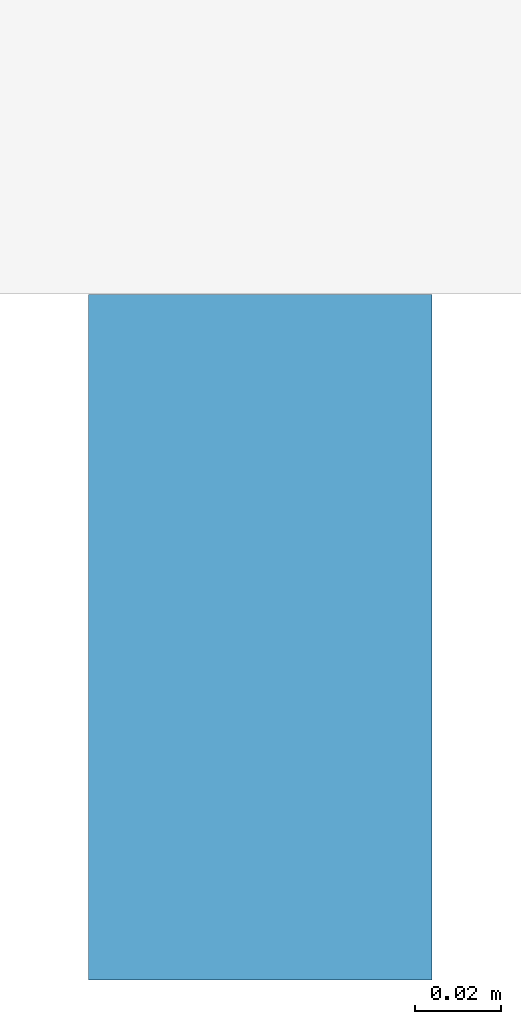
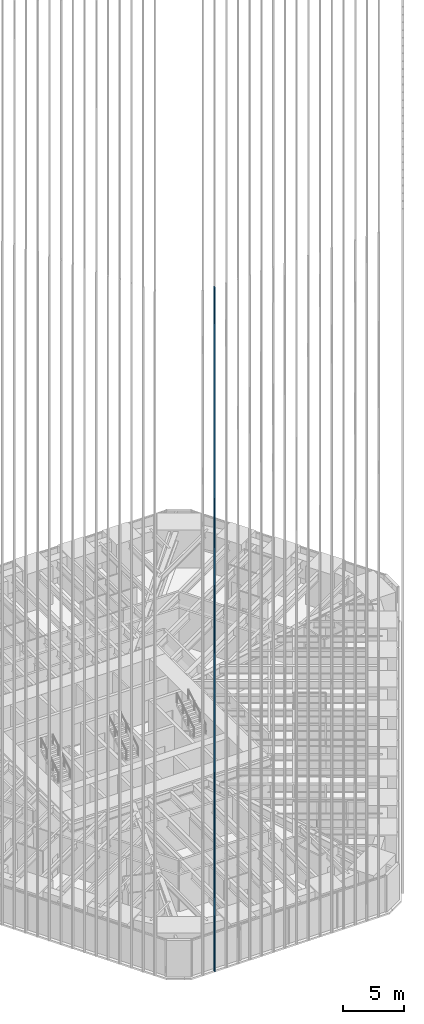
# One storey, part 22 of 256: 1 member, 1 element without a shape of its own.
"""IFC4 building model written with IfcOpenShell, lengths in metres."""

import ifcopenshell
import ifcopenshell.guid

model = None  # the IFC model being written
_history = None  # IfcOwnerHistory: only IFC2X3 demands one
_inside = {}  # id of a spatial element -> (the spatial element, [elements in it])
_under = {}  # id of a project, library or spatial element -> (it, [spatial elements below it])
_declared = {}  # id of a project -> (the project, [libraries it declares])
_typed = {}  # id of a type object -> (the type object, [elements of that type])
_made_of = {}  # id of a material, layer set ... -> (it, [elements and type objects made of it])


def new_model(schema):
    """Start an empty IFC model of exactly this schema.

    Asked for "IFC4X3", IfcOpenShell would pick the latest addendum, in which some entities
    have other attributes; the version numbers below select the first issue.
    IFC2X3 requires an IfcOwnerHistory on every rooted entity: one is made here for all.
    """
    global model, _history
    if schema == "IFC4X3":
        model = ifcopenshell.file(schema_version=(4, 3, 0, 0))
    else:
        model = ifcopenshell.file(schema=schema)
    _inside.clear()
    _under.clear()
    _declared.clear()
    _typed.clear()
    _made_of.clear()
    _history = None
    if model.schema == "IFC2X3":
        org = make("IfcOrganization", Name="unknown")
        user = make(
            "IfcPersonAndOrganization",
            ThePerson=make("IfcPerson", FamilyName="unknown"),
            TheOrganization=org,
        )
        app = make(
            "IfcApplication",
            ApplicationDeveloper=org,
            Version="unknown",
            ApplicationFullName="unknown",
            ApplicationIdentifier="unknown",
        )
        _history = make(
            "IfcOwnerHistory",
            OwningUser=user,
            OwningApplication=app,
            ChangeAction="ADDED",
            CreationDate=0,
        )
    return model


def make(cls, **values):
    """One entity of the class cls with the attributes given. An attribute that is None is left unset."""
    return model.create_entity(
        cls, **{name: value for name, value in values.items() if value is not None}
    )


def rooted(cls, **values):
    """An entity with a GlobalId (a new one), such as an element, a storey or a relation."""
    return make(cls, GlobalId=ifcopenshell.guid.new(), OwnerHistory=_history, **values)


def si_unit(unit_type, name, prefix=None):
    """IfcSIUnit, for example si_unit("LENGTHUNIT", "METRE", prefix="MILLI")."""
    return make("IfcSIUnit", UnitType=unit_type, Prefix=prefix, Name=name)


def assignment(units):
    """IfcUnitAssignment: the units of a project."""
    return None if units is None else make("IfcUnitAssignment", Units=units)


def point(xyz):
    """IfcCartesianPoint."""
    return None if xyz is None else make("IfcCartesianPoint", Coordinates=xyz)


def direction(xyz):
    """IfcDirection."""
    return None if xyz is None else make("IfcDirection", DirectionRatios=xyz)


def frame(location, z_axis=None, x_axis=None):
    """IfcAxis2Placement3D, a coordinate frame: its origin and axes. An axis left out is left unset."""
    return make(
        "IfcAxis2Placement3D",
        Location=point(location),
        Axis=direction(z_axis),
        RefDirection=direction(x_axis),
    )


def frame_2d(location, x_axis=None):
    """IfcAxis2Placement2D, a coordinate frame in the plane: its origin and x axis."""
    return make(
        "IfcAxis2Placement2D", Location=point(location), RefDirection=direction(x_axis)
    )


def origin():
    """The frame at (0, 0, 0) with its axes left unset."""
    return frame((0.0, 0.0, 0.0))


def origin_2d():
    """The frame at (0, 0) in the plane with its x axis left unset."""
    return frame_2d((0.0, 0.0))


def place(relative_to, where):
    """IfcLocalPlacement: puts the frame where relative to a parent placement (None: the world)."""
    return make(
        "IfcLocalPlacement", PlacementRelTo=relative_to, RelativePlacement=where
    )


def context(
    kind, dimensions, precision=None, world=None, true_north=None, identifier=None
):
    """IfcGeometricRepresentationContext, for example the 3D "Model" context."""
    return make(
        "IfcGeometricRepresentationContext",
        ContextIdentifier=identifier,
        ContextType=kind,
        CoordinateSpaceDimension=dimensions,
        Precision=precision,
        WorldCoordinateSystem=world,
        TrueNorth=true_north,
    )


def subcontext(parent, identifier, kind, view, scale=None):
    """IfcGeometricRepresentationSubContext, for example "Body" below "Model"."""
    return make(
        "IfcGeometricRepresentationSubContext",
        ContextIdentifier=identifier,
        ContextType=kind,
        ParentContext=parent,
        TargetScale=scale,
        TargetView=view,
    )


def project(units=None, contexts=None):
    """IfcProject with its units and contexts."""
    return rooted(
        "IfcProject",
        Name="project",
        RepresentationContexts=contexts,
        UnitsInContext=assignment(units),
    )


def spatial(cls, under=None, at=None, **own):
    """A site, building, storey or space (cls), placed at a placement, below another one or the project."""
    s = rooted(cls, ObjectPlacement=at, **own)
    if under is not None:
        _under.setdefault(under.id(), (under, []))[1].append(s)
    return s


def profile(cls, at=None, kind="AREA", **sizes):
    """A parametric profile (cls). Its sizes go by their IFC names, for example OverallWidth=200.0."""
    return make(cls, ProfileType=kind, Position=at, **sizes)


def rectangle(**sizes):
    """IfcRectangleProfileDef."""
    return profile("IfcRectangleProfileDef", **sizes)


def extrude(swept, where, along, depth):
    """IfcExtrudedAreaSolid: the profile swept, set in the frame where, extruded along a direction by depth."""
    return make(
        "IfcExtrudedAreaSolid",
        SweptArea=swept,
        Position=where,
        ExtrudedDirection=direction(along),
        Depth=depth,
    )


def shape(context_of_items, identifier, shape_type, items):
    """IfcShapeRepresentation: the items that make up one representation, for example the "Body"."""
    return make(
        "IfcShapeRepresentation",
        ContextOfItems=context_of_items,
        RepresentationIdentifier=identifier,
        RepresentationType=shape_type,
        Items=items,
    )


def material(Name=None, Category=None):
    """IfcMaterial."""
    return make("IfcMaterial", Name=Name, Category=Category)


def material_profile(
    of_material, cross_section, Name=None, Category=None, Priority=None
):
    """IfcMaterialProfile: a cross section and its material."""
    return make(
        "IfcMaterialProfile",
        Name=Name,
        Material=of_material,
        Profile=cross_section,
        Priority=Priority,
        Category=Category,
    )


def profile_set(profiles, Name=None, composite=None):
    """IfcMaterialProfileSet."""
    return make(
        "IfcMaterialProfileSet",
        Name=Name,
        MaterialProfiles=profiles,
        CompositeProfile=composite,
    )


def made_of(thing, what):
    """Note that an element or type object is made of a material, layer set ...; save() writes the relation."""
    if what is not None:
        _made_of.setdefault(what.id(), (what, []))[1].append(thing)
    return thing


def type_object(cls, material=None, **own):
    """A type object (cls), such as IfcWallType, which elements share."""
    return made_of(rooted(cls, **own), material)


def element(
    cls,
    number,
    at=None,
    inside=None,
    cuts=None,
    type_object=None,
    material=None,
    context=None,
    identifier="Body",
    shape_type=None,
    held_by="IfcProductDefinitionShape",
    body=None,
    shapes=None,
    **own,
):
    """One element of the class cls, such as IfcWall. Its Tag is "e" and its number.

    at: its placement. inside: the storey or other place that contains it. cuts: it is an
    opening in that element (IfcRelVoidsElement). A single representation is given by context,
    identifier, shape_type and body (its items); several are given by shapes. held_by: the class
    of the entity that holds the representations. save() writes the other relations.
    """
    e = rooted(cls, Tag="e%d" % number, ObjectPlacement=at, **own)
    if body is not None:
        shapes = [shape(context, identifier, shape_type, body)]
    if shapes is not None:
        e.Representation = make(held_by, Representations=shapes)
    if inside is not None:
        _inside.setdefault(inside.id(), (inside, []))[1].append(e)
    if cuts is not None:
        rooted(
            "IfcRelVoidsElement", RelatingBuildingElement=cuts, RelatedOpeningElement=e
        )
    if type_object is not None:
        _typed.setdefault(type_object.id(), (type_object, []))[1].append(e)
    return made_of(e, material)


def aggregate(whole, parts):
    """IfcRelAggregates: a whole, such as a stair, and the parts it consists of."""
    return rooted("IfcRelAggregates", RelatingObject=whole, RelatedObjects=parts)


def save(model, path):
    """Write the relations noted so far, then the file.

    IfcRelAggregates (storeys below a building ...), IfcRelContainedInSpatialStructure (elements
    in a storey), IfcRelDefinesByType, IfcRelAssociatesMaterial and IfcRelDeclares: one each for
    every whole, place, type object, material and project.
    """
    for whole, parts in _under.values():
        aggregate(whole, parts)
    for where, things in _inside.values():
        rooted(
            "IfcRelContainedInSpatialStructure",
            RelatedElements=things,
            RelatingStructure=where,
        )
    for kind, things in _typed.values():
        rooted("IfcRelDefinesByType", RelatedObjects=things, RelatingType=kind)
    for what, things in _made_of.values():
        rooted("IfcRelAssociatesMaterial", RelatedObjects=things, RelatingMaterial=what)
    for by, libraries in _declared.values():
        rooted("IfcRelDeclares", RelatingContext=by, RelatedDefinitions=libraries)
    model.write(path)


model = new_model("IFC4")

# Units and contexts
model_context = context("Model", 3, precision=1e-05, world=origin(), true_north=direction((0.0, 1.0)))
body_context = subcontext(model_context, "Body", "Model", "MODEL_VIEW")
ifc_project = project(units=[si_unit("LENGTHUNIT", "METRE"), si_unit("AREAUNIT", "SQUARE_METRE"), si_unit("VOLUMEUNIT", "CUBIC_METRE"), si_unit("PLANEANGLEUNIT", "RADIAN"), si_unit("MASSUNIT", "GRAM", prefix="KILO")], contexts=[model_context])

# Site, building, storey
site_placement = place(None, origin())
site = spatial("IfcSite", under=ifc_project, at=site_placement, CompositionType="ELEMENT")
building_placement = place(site_placement, origin())
building = spatial("IfcBuilding", under=site, at=building_placement, Name="Sandreach Pilgrim Tower", CompositionType="ELEMENT")
storey_placement = place(building_placement, frame((0.0, 0.0, 23.0)))
storey = spatial("IfcBuildingStorey", under=building, at=storey_placement, Name="L04", CompositionType="ELEMENT", Elevation=23.0)

# Curtain wall, member
ifc_material_1 = material(Name="Aluminium framed curtain wall", Category="aluminium")
curtain_wall_type = type_object("IfcCurtainWallType", Name="Hostel tower curtain wall", PredefinedType="NOTDEFINED", material=ifc_material_1)
curtain_wall_placement = place(storey_placement, origin())
curtain_wall = element("IfcCurtainWall", 1, at=curtain_wall_placement, inside=storey, type_object=curtain_wall_type, Name="CW-1 L04 S", PredefinedType="NOTDEFINED")
ifc_material_2 = material(Name="Extruded terracotta on aluminium core", Category="masonry")
ifc_material_profile = material_profile(ifc_material_2, rectangle(XDim=0.080078125, YDim=0.159912109375, at=origin_2d()), Name="TBS 80X160")
ifc_profile_set = profile_set([ifc_material_profile], Name="Extruded terracotta on aluminium core")
member_type = type_object("IfcMemberType", Name="Terracotta baguette south", PredefinedType="USERDEFINED", material=ifc_profile_set)
member_placement = place(storey_placement, frame((-7.181640625, -30.390869140625, 0.0), z_axis=(0.0, 0.0, 1.0), x_axis=(-1.0, 0.0, 0.0)))
member = element("IfcMember", 2, at=member_placement, type_object=member_type, Name="Baguette Z1 S15", ObjectType="BAGUETTE", PredefinedType="USERDEFINED", context=body_context, shape_type="SweptSolid", body=[
    extrude(rectangle(XDim=0.080078125, YDim=0.159912109375, at=origin_2d()), origin(), (0.0, 0.0, 1.0), 68.239990234375),
])
aggregate(curtain_wall, [member])

save(model, "model.ifc")
